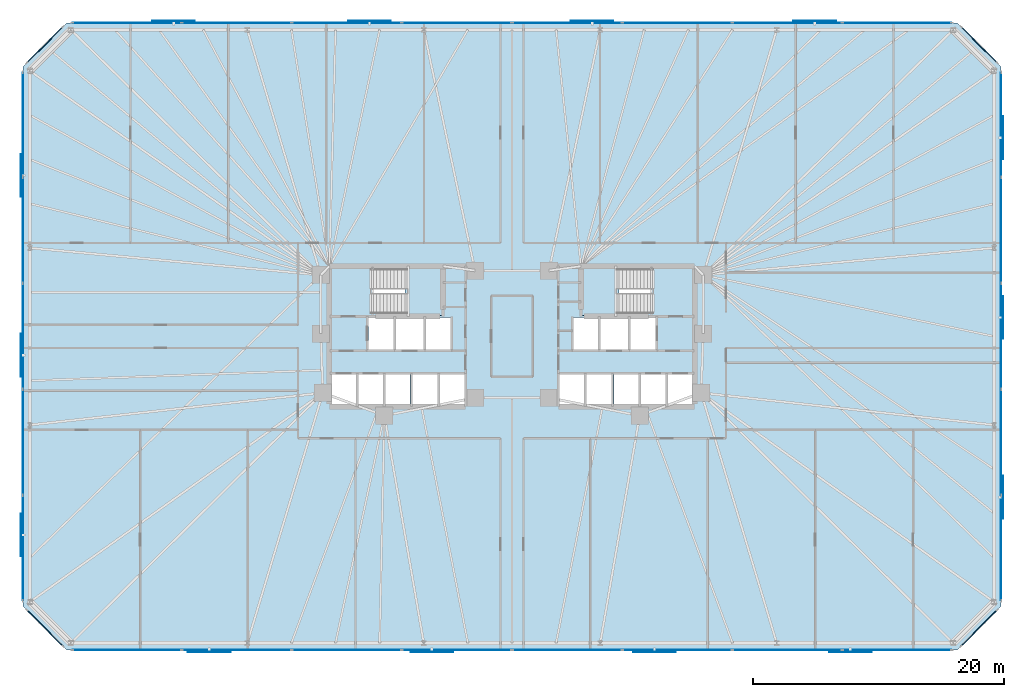
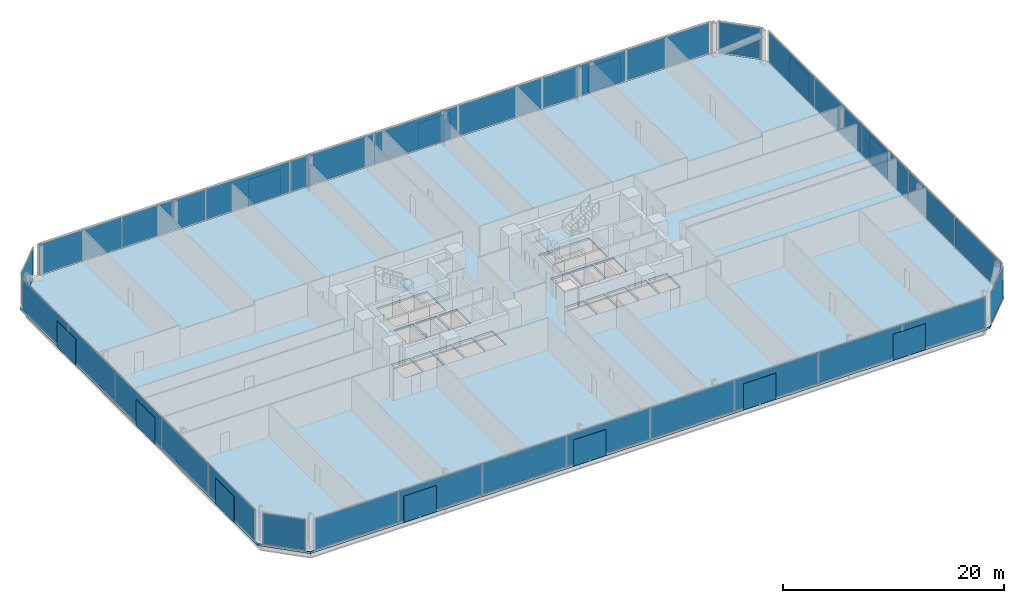
# One storey, part 11 of 17: 44 plates, 3 slabs, 10 elements without a shape of their own.
"""IFC4 building model written with IfcOpenShell, lengths in metres."""

from ifc_helpers import new_model, si_unit, direction, frame, origin, origin_2d, place, context, subcontext, project, spatial, polyline, rectangle, outline, extrude, material, layer, layer_set, type_object, element, aggregate, save


model = new_model("IFC4")

# Units and contexts
model_context = context("Model", 3, precision=1e-05, world=origin(), true_north=direction((0.0, 1.0)))
body_context = subcontext(model_context, "Body", "Model", "MODEL_VIEW")
ifc_project = project(units=[si_unit("LENGTHUNIT", "METRE"), si_unit("AREAUNIT", "SQUARE_METRE"), si_unit("VOLUMEUNIT", "CUBIC_METRE"), si_unit("PLANEANGLEUNIT", "RADIAN"), si_unit("MASSUNIT", "GRAM", prefix="KILO")], contexts=[model_context])

# Site, building, storey
site_placement = place(None, origin())
site = spatial("IfcSite", under=ifc_project, at=site_placement, CompositionType="ELEMENT")
building_placement = place(site_placement, origin())
building = spatial("IfcBuilding", under=site, at=building_placement, Name="Menara Jurai Vektor", CompositionType="ELEMENT")
storey_placement = place(building_placement, frame((0.0, 0.0, 63.60009765625)))
storey = spatial("IfcBuildingStorey", under=building, at=storey_placement, Name="L15", CompositionType="ELEMENT", Elevation=63.60009765625)

# Curtain wall, plates
ifc_material_1 = material(Name="Anodised Pale Aluminium & Low-E Double Glazing", Category="aluminium")
curtain_wall_type = type_object("IfcCurtainWallType", Name="CW-BLK1", PredefinedType="NOTDEFINED", material=ifc_material_1)
curtain_wall_1_placement = place(storey_placement, origin())
curtain_wall_1 = element("IfcCurtainWall", 1, at=curtain_wall_1_placement, inside=storey, type_object=curtain_wall_type, Name="Unitised Curtain Wall L15 F01", PredefinedType="NOTDEFINED")
ifc_material_2 = material(Name="Low-E Solar-Control Double Glazed Unit", Category="glass")
ifc_layer_1 = layer(ifc_material_2, 0.035888671875)
ifc_layer_set_1 = layer_set([ifc_layer_1], Name="Low-E Solar-Control Double Glazed Unit")
plate_type_1 = type_object("IfcPlateType", Name="CW-BLK1-PNL", PredefinedType="CURTAIN_PANEL", material=ifc_layer_set_1)
plate_1_placement = place(storey_placement, frame((-30.706298828125, -25.0, 0.0947265625), z_axis=(0.0, 0.0, 1.0), x_axis=(1.0, 0.0, 0.0)))
plate_1 = element("IfcPlate", 2, at=plate_1_placement, type_object=plate_type_1, Name="CW-01 panel 1.1", PredefinedType="CURTAIN_PANEL", context=body_context, shape_type="SweptSolid", body=[
    extrude(rectangle(XDim=8.637451171875, YDim=0.035888671875, at=origin_2d()), origin(), (0.0, 0.0, 1.0), 3.385009765625),
])
plate_2_placement = place(storey_placement, frame((-21.949951171875, -25.0, 0.0947265625), z_axis=(0.0, 0.0, 1.0), x_axis=(1.0, 0.0, 0.0)))
plate_2 = element("IfcPlate", 3, at=plate_2_placement, type_object=plate_type_1, Name="CW-01 panel 2.1", PredefinedType="CURTAIN_PANEL", context=body_context, shape_type="SweptSolid", body=[
    extrude(rectangle(XDim=8.68505859375, YDim=0.035888671875, at=origin_2d()), origin(), (0.0, 0.0, 1.0), 3.385009765625),
])
plate_3_placement = place(storey_placement, frame((-13.169921875, -25.0, 0.0947265625), z_axis=(0.0, 0.0, 1.0), x_axis=(1.0, 0.0, 0.0)))
plate_3 = element("IfcPlate", 4, at=plate_3_placement, type_object=plate_type_1, Name="CW-01 panel 3.1", PredefinedType="CURTAIN_PANEL", context=body_context, shape_type="SweptSolid", body=[
    extrude(rectangle(XDim=8.68505859375, YDim=0.035888671875, at=origin_2d()), origin(), (0.0, 0.0, 1.0), 3.385009765625),
])
plate_4_placement = place(storey_placement, frame((-4.389892578125, -25.0, 0.0947265625), z_axis=(0.0, 0.0, 1.0), x_axis=(1.0, 0.0, 0.0)))
plate_4 = element("IfcPlate", 5, at=plate_4_placement, type_object=plate_type_1, Name="CW-01 panel 4.1", PredefinedType="CURTAIN_PANEL", context=body_context, shape_type="SweptSolid", body=[
    extrude(rectangle(XDim=8.68505859375, YDim=0.035888671875, at=origin_2d()), origin(), (0.0, 0.0, 1.0), 3.385009765625),
])
plate_5_placement = place(storey_placement, frame((4.389892578125, -25.0, 0.0947265625), z_axis=(0.0, 0.0, 1.0), x_axis=(1.0, 0.0, 0.0)))
plate_5 = element("IfcPlate", 6, at=plate_5_placement, type_object=plate_type_1, Name="CW-01 panel 5.1", PredefinedType="CURTAIN_PANEL", context=body_context, shape_type="SweptSolid", body=[
    extrude(rectangle(XDim=8.68505859375, YDim=0.035888671875, at=origin_2d()), origin(), (0.0, 0.0, 1.0), 3.385009765625),
])
plate_6_placement = place(storey_placement, frame((13.169921875, -25.0, 0.0947265625), z_axis=(0.0, 0.0, 1.0), x_axis=(1.0, 0.0, 0.0)))
plate_6 = element("IfcPlate", 7, at=plate_6_placement, type_object=plate_type_1, Name="CW-01 panel 6.1", PredefinedType="CURTAIN_PANEL", context=body_context, shape_type="SweptSolid", body=[
    extrude(rectangle(XDim=8.68505859375, YDim=0.035888671875, at=origin_2d()), origin(), (0.0, 0.0, 1.0), 3.385009765625),
])
plate_7_placement = place(storey_placement, frame((21.949951171875, -25.0, 0.0947265625), z_axis=(0.0, 0.0, 1.0), x_axis=(1.0, 0.0, 0.0)))
plate_7 = element("IfcPlate", 8, at=plate_7_placement, type_object=plate_type_1, Name="CW-01 panel 7.1", PredefinedType="CURTAIN_PANEL", context=body_context, shape_type="SweptSolid", body=[
    extrude(rectangle(XDim=8.68505859375, YDim=0.035888671875, at=origin_2d()), origin(), (0.0, 0.0, 1.0), 3.385009765625),
])
plate_8_placement = place(storey_placement, frame((30.706298828125, -25.0, 0.0947265625), z_axis=(0.0, 0.0, 1.0), x_axis=(1.0, 0.0, 0.0)))
plate_8 = element("IfcPlate", 9, at=plate_8_placement, type_object=plate_type_1, Name="CW-01 panel 8.1", PredefinedType="CURTAIN_PANEL", context=body_context, shape_type="SweptSolid", body=[
    extrude(rectangle(XDim=8.637451171875, YDim=0.035888671875, at=origin_2d()), origin(), (0.0, 0.0, 1.0), 3.385009765625),
])
aggregate(curtain_wall_1, [plate_1, plate_2, plate_3, plate_4, plate_5, plate_6, plate_7, plate_8])

curtain_wall_2_placement = place(storey_placement, origin())
curtain_wall_2 = element("IfcCurtainWall", 10, at=curtain_wall_2_placement, inside=storey, type_object=curtain_wall_type, Name="Unitised Curtain Wall L15 F03", PredefinedType="NOTDEFINED")
plate_9_placement = place(storey_placement, frame((39.0, -16.872314453125, 0.0947265625), z_axis=(0.0, 0.0, 1.0), x_axis=(0.0, 1.0, 0.0)))
plate_9 = element("IfcPlate", 11, at=plate_9_placement, type_object=plate_type_1, Name="CW-01 panel 1.1", PredefinedType="CURTAIN_PANEL", context=body_context, shape_type="SweptSolid", body=[
    extrude(rectangle(XDim=8.305419921875, YDim=0.035888671875, at=origin_2d()), origin(), (0.0, 0.0, 1.0), 3.385009765625),
])
plate_10_placement = place(storey_placement, frame((39.0, -8.447998046875, 0.0947265625), z_axis=(0.0, 0.0, 1.0), x_axis=(0.0, 1.0, 0.0)))
plate_10 = element("IfcPlate", 12, at=plate_10_placement, type_object=plate_type_1, Name="CW-01 panel 2.1", PredefinedType="CURTAIN_PANEL", context=body_context, shape_type="SweptSolid", body=[
    extrude(rectangle(XDim=8.35302734375, YDim=0.035888671875, at=origin_2d()), origin(), (0.0, 0.0, 1.0), 3.385009765625),
])
plate_11_placement = place(storey_placement, frame((39.0, 0.0, 0.0947265625), z_axis=(0.0, 0.0, 1.0), x_axis=(0.0, 1.0, 0.0)))
plate_11 = element("IfcPlate", 13, at=plate_11_placement, type_object=plate_type_1, Name="CW-01 panel 3.1", PredefinedType="CURTAIN_PANEL", context=body_context, shape_type="SweptSolid", body=[
    extrude(rectangle(XDim=8.35302734375, YDim=0.035888671875, at=origin_2d()), origin(), (0.0, 0.0, 1.0), 3.385009765625),
])
plate_12_placement = place(storey_placement, frame((39.0, 8.447998046875, 0.0947265625), z_axis=(0.0, 0.0, 1.0), x_axis=(0.0, 1.0, 0.0)))
plate_12 = element("IfcPlate", 14, at=plate_12_placement, type_object=plate_type_1, Name="CW-01 panel 4.1", PredefinedType="CURTAIN_PANEL", context=body_context, shape_type="SweptSolid", body=[
    extrude(rectangle(XDim=8.35302734375, YDim=0.035888671875, at=origin_2d()), origin(), (0.0, 0.0, 1.0), 3.385009765625),
])
plate_13_placement = place(storey_placement, frame((39.0, 16.872314453125, 0.0947265625), z_axis=(0.0, 0.0, 1.0), x_axis=(0.0, 1.0, 0.0)))
plate_13 = element("IfcPlate", 15, at=plate_13_placement, type_object=plate_type_1, Name="CW-01 panel 5.1", PredefinedType="CURTAIN_PANEL", context=body_context, shape_type="SweptSolid", body=[
    extrude(rectangle(XDim=8.305419921875, YDim=0.035888671875, at=origin_2d()), origin(), (0.0, 0.0, 1.0), 3.385009765625),
])
aggregate(curtain_wall_2, [plate_9, plate_10, plate_11, plate_12, plate_13])

curtain_wall_3_placement = place(storey_placement, origin())
curtain_wall_3 = element("IfcCurtainWall", 16, at=curtain_wall_3_placement, inside=storey, type_object=curtain_wall_type, Name="Unitised Curtain Wall L15 F05", PredefinedType="NOTDEFINED")
plate_14_placement = place(storey_placement, frame((30.706298828125, 25.0, 0.0947265625), z_axis=(0.0, 0.0, 1.0), x_axis=(-1.0, 0.0, 0.0)))
plate_14 = element("IfcPlate", 17, at=plate_14_placement, type_object=plate_type_1, Name="CW-01 panel 1.1", PredefinedType="CURTAIN_PANEL", context=body_context, shape_type="SweptSolid", body=[
    extrude(rectangle(XDim=8.637451171875, YDim=0.035888671875, at=origin_2d()), origin(), (0.0, 0.0, 1.0), 3.385009765625),
])
plate_15_placement = place(storey_placement, frame((21.949951171875, 25.0, 0.0947265625), z_axis=(0.0, 0.0, 1.0), x_axis=(-1.0, 0.0, 0.0)))
plate_15 = element("IfcPlate", 18, at=plate_15_placement, type_object=plate_type_1, Name="CW-01 panel 2.1", PredefinedType="CURTAIN_PANEL", context=body_context, shape_type="SweptSolid", body=[
    extrude(rectangle(XDim=8.68505859375, YDim=0.035888671875, at=origin_2d()), origin(), (0.0, 0.0, 1.0), 3.385009765625),
])
plate_16_placement = place(storey_placement, frame((13.169921875, 25.0, 0.0947265625), z_axis=(0.0, 0.0, 1.0), x_axis=(-1.0, 0.0, 0.0)))
plate_16 = element("IfcPlate", 19, at=plate_16_placement, type_object=plate_type_1, Name="CW-01 panel 3.1", PredefinedType="CURTAIN_PANEL", context=body_context, shape_type="SweptSolid", body=[
    extrude(rectangle(XDim=8.68505859375, YDim=0.035888671875, at=origin_2d()), origin(), (0.0, 0.0, 1.0), 3.385009765625),
])
plate_17_placement = place(storey_placement, frame((4.389892578125, 25.0, 0.0947265625), z_axis=(0.0, 0.0, 1.0), x_axis=(-1.0, 0.0, 0.0)))
plate_17 = element("IfcPlate", 20, at=plate_17_placement, type_object=plate_type_1, Name="CW-01 panel 4.1", PredefinedType="CURTAIN_PANEL", context=body_context, shape_type="SweptSolid", body=[
    extrude(rectangle(XDim=8.68505859375, YDim=0.035888671875, at=origin_2d()), origin(), (0.0, 0.0, 1.0), 3.385009765625),
])
plate_18_placement = place(storey_placement, frame((-4.389892578125, 25.0, 0.0947265625), z_axis=(0.0, 0.0, 1.0), x_axis=(-1.0, 0.0, 0.0)))
plate_18 = element("IfcPlate", 21, at=plate_18_placement, type_object=plate_type_1, Name="CW-01 panel 5.1", PredefinedType="CURTAIN_PANEL", context=body_context, shape_type="SweptSolid", body=[
    extrude(rectangle(XDim=8.68505859375, YDim=0.035888671875, at=origin_2d()), origin(), (0.0, 0.0, 1.0), 3.385009765625),
])
plate_19_placement = place(storey_placement, frame((-13.169921875, 25.0, 0.0947265625), z_axis=(0.0, 0.0, 1.0), x_axis=(-1.0, 0.0, 0.0)))
plate_19 = element("IfcPlate", 22, at=plate_19_placement, type_object=plate_type_1, Name="CW-01 panel 6.1", PredefinedType="CURTAIN_PANEL", context=body_context, shape_type="SweptSolid", body=[
    extrude(rectangle(XDim=8.68505859375, YDim=0.035888671875, at=origin_2d()), origin(), (0.0, 0.0, 1.0), 3.385009765625),
])
plate_20_placement = place(storey_placement, frame((-21.949951171875, 25.0, 0.0947265625), z_axis=(0.0, 0.0, 1.0), x_axis=(-1.0, 0.0, 0.0)))
plate_20 = element("IfcPlate", 23, at=plate_20_placement, type_object=plate_type_1, Name="CW-01 panel 7.1", PredefinedType="CURTAIN_PANEL", context=body_context, shape_type="SweptSolid", body=[
    extrude(rectangle(XDim=8.68505859375, YDim=0.035888671875, at=origin_2d()), origin(), (0.0, 0.0, 1.0), 3.385009765625),
])
plate_21_placement = place(storey_placement, frame((-30.706298828125, 25.0, 0.0947265625), z_axis=(0.0, 0.0, 1.0), x_axis=(-1.0, 0.0, 0.0)))
plate_21 = element("IfcPlate", 24, at=plate_21_placement, type_object=plate_type_1, Name="CW-01 panel 8.1", PredefinedType="CURTAIN_PANEL", context=body_context, shape_type="SweptSolid", body=[
    extrude(rectangle(XDim=8.637451171875, YDim=0.035888671875, at=origin_2d()), origin(), (0.0, 0.0, 1.0), 3.385009765625),
])
aggregate(curtain_wall_3, [plate_14, plate_15, plate_16, plate_17, plate_18, plate_19, plate_20, plate_21])

curtain_wall_4_placement = place(storey_placement, origin())
curtain_wall_4 = element("IfcCurtainWall", 25, at=curtain_wall_4_placement, inside=storey, type_object=curtain_wall_type, Name="Unitised Curtain Wall L15 F07", PredefinedType="NOTDEFINED")
plate_22_placement = place(storey_placement, frame((-39.0, 16.872314453125, 0.0947265625), z_axis=(0.0, 0.0, 1.0), x_axis=(0.0, -1.0, 0.0)))
plate_22 = element("IfcPlate", 26, at=plate_22_placement, type_object=plate_type_1, Name="CW-01 panel 1.1", PredefinedType="CURTAIN_PANEL", context=body_context, shape_type="SweptSolid", body=[
    extrude(rectangle(XDim=8.305419921875, YDim=0.035888671875, at=origin_2d()), origin(), (0.0, 0.0, 1.0), 3.385009765625),
])
plate_23_placement = place(storey_placement, frame((-39.0, 8.447998046875, 0.0947265625), z_axis=(0.0, 0.0, 1.0), x_axis=(0.0, -1.0, 0.0)))
plate_23 = element("IfcPlate", 27, at=plate_23_placement, type_object=plate_type_1, Name="CW-01 panel 2.1", PredefinedType="CURTAIN_PANEL", context=body_context, shape_type="SweptSolid", body=[
    extrude(rectangle(XDim=8.35302734375, YDim=0.035888671875, at=origin_2d()), origin(), (0.0, 0.0, 1.0), 3.385009765625),
])
plate_24_placement = place(storey_placement, frame((-39.0, 0.0, 0.0947265625), z_axis=(0.0, 0.0, 1.0), x_axis=(0.0, -1.0, 0.0)))
plate_24 = element("IfcPlate", 28, at=plate_24_placement, type_object=plate_type_1, Name="CW-01 panel 3.1", PredefinedType="CURTAIN_PANEL", context=body_context, shape_type="SweptSolid", body=[
    extrude(rectangle(XDim=8.35302734375, YDim=0.035888671875, at=origin_2d()), origin(), (0.0, 0.0, 1.0), 3.385009765625),
])
plate_25_placement = place(storey_placement, frame((-39.0, -8.447998046875, 0.0947265625), z_axis=(0.0, 0.0, 1.0), x_axis=(0.0, -1.0, 0.0)))
plate_25 = element("IfcPlate", 29, at=plate_25_placement, type_object=plate_type_1, Name="CW-01 panel 4.1", PredefinedType="CURTAIN_PANEL", context=body_context, shape_type="SweptSolid", body=[
    extrude(rectangle(XDim=8.35302734375, YDim=0.035888671875, at=origin_2d()), origin(), (0.0, 0.0, 1.0), 3.385009765625),
])
plate_26_placement = place(storey_placement, frame((-39.0, -16.872314453125, 0.0947265625), z_axis=(0.0, 0.0, 1.0), x_axis=(0.0, -1.0, 0.0)))
plate_26 = element("IfcPlate", 30, at=plate_26_placement, type_object=plate_type_1, Name="CW-01 panel 5.1", PredefinedType="CURTAIN_PANEL", context=body_context, shape_type="SweptSolid", body=[
    extrude(rectangle(XDim=8.305419921875, YDim=0.035888671875, at=origin_2d()), origin(), (0.0, 0.0, 1.0), 3.385009765625),
])
aggregate(curtain_wall_4, [plate_22, plate_23, plate_24, plate_25, plate_26])

# Curtain wall, plate
curtain_wall_5_placement = place(storey_placement, origin())
curtain_wall_5 = element("IfcCurtainWall", 31, at=curtain_wall_5_placement, inside=storey, type_object=curtain_wall_type, Name="Unitised Curtain Wall L15 F02", PredefinedType="NOTDEFINED")
ifc_material_3 = material(Name="Insulated Pale Aluminium Spandrel Panel", Category="aluminium")
ifc_layer_2 = layer(ifc_material_3, 0.06005859375)
ifc_layer_set_2 = layer_set([ifc_layer_2], Name="Insulated Pale Aluminium Spandrel Panel")
plate_type_2 = type_object("IfcPlateType", Name="CW-PNL-SP", PredefinedType="CURTAIN_PANEL", material=ifc_layer_set_2)
plate_27_placement = place(storey_placement, frame((37.25, -23.25, 0.0947265625), z_axis=(0.0, 0.0, 1.0), x_axis=(0.707106781187, 0.707106781187, 0.0)))
plate_27 = element("IfcPlate", 32, at=plate_27_placement, type_object=plate_type_2, Name="CW-01 panel 1.1", PredefinedType="CURTAIN_PANEL", context=body_context, shape_type="SweptSolid", body=[
    extrude(rectangle(XDim=3.999755859375, YDim=0.06005859375, at=origin_2d()), origin(), (0.0, 0.0, 1.0), 3.385009765625),
])
aggregate(curtain_wall_5, [plate_27])

curtain_wall_6_placement = place(storey_placement, origin())
curtain_wall_6 = element("IfcCurtainWall", 33, at=curtain_wall_6_placement, inside=storey, type_object=curtain_wall_type, Name="Unitised Curtain Wall L15 F04", PredefinedType="NOTDEFINED")
plate_28_placement = place(storey_placement, frame((37.25, 23.25, 0.0947265625), z_axis=(0.0, 0.0, 1.0), x_axis=(-0.707106781187, 0.707106781187, 0.0)))
plate_28 = element("IfcPlate", 34, at=plate_28_placement, type_object=plate_type_2, Name="CW-01 panel 1.1", PredefinedType="CURTAIN_PANEL", context=body_context, shape_type="SweptSolid", body=[
    extrude(rectangle(XDim=3.999755859375, YDim=0.06005859375, at=origin_2d()), origin(), (0.0, 0.0, 1.0), 3.385009765625),
])
aggregate(curtain_wall_6, [plate_28])

curtain_wall_7_placement = place(storey_placement, origin())
curtain_wall_7 = element("IfcCurtainWall", 35, at=curtain_wall_7_placement, inside=storey, type_object=curtain_wall_type, Name="Unitised Curtain Wall L15 F06", PredefinedType="NOTDEFINED")
plate_29_placement = place(storey_placement, frame((-37.25, 23.25, 0.0947265625), z_axis=(0.0, 0.0, 1.0), x_axis=(-0.707106781187, -0.707106781187, 0.0)))
plate_29 = element("IfcPlate", 36, at=plate_29_placement, type_object=plate_type_2, Name="CW-01 panel 1.1", PredefinedType="CURTAIN_PANEL", context=body_context, shape_type="SweptSolid", body=[
    extrude(rectangle(XDim=3.999755859375, YDim=0.06005859375, at=origin_2d()), origin(), (0.0, 0.0, 1.0), 3.385009765625),
])
aggregate(curtain_wall_7, [plate_29])

curtain_wall_8_placement = place(storey_placement, origin())
curtain_wall_8 = element("IfcCurtainWall", 37, at=curtain_wall_8_placement, inside=storey, type_object=curtain_wall_type, Name="Unitised Curtain Wall L15 F08", PredefinedType="NOTDEFINED")
plate_30_placement = place(storey_placement, frame((-37.25, -23.25, 0.0947265625), z_axis=(0.0, 0.0, 1.0), x_axis=(0.707106781187, -0.707106781187, 0.0)))
plate_30 = element("IfcPlate", 38, at=plate_30_placement, type_object=plate_type_2, Name="CW-01 panel 1.1", PredefinedType="CURTAIN_PANEL", context=body_context, shape_type="SweptSolid", body=[
    extrude(rectangle(XDim=3.999755859375, YDim=0.06005859375, at=origin_2d()), origin(), (0.0, 0.0, 1.0), 3.385009765625),
])
aggregate(curtain_wall_8, [plate_30])

# Plates
ifc_material_4 = material(Name="Anodised Pale Aluminium Perforated Screen", Category="aluminium")
ifc_layer_3 = layer(ifc_material_4, 0.02392578125)
ifc_layer_set_3 = layer_set([ifc_layer_3], Name="Anodised Pale Aluminium Perforated Screen")
plate_type_3 = type_object("IfcPlateType", Name="ENV-PLT-SCREEN", PredefinedType="USERDEFINED", material=ifc_layer_set_3)
for number, where, z_axis, x_axis, name in (
    (39, (-24.139892578125, -25.159912109375, -0.050048828125), (0.0, 0.0, 1.0), (1.0, 0.0, 0.0), "Perforated Pale-Metal Solar Screen L15-S01"),
    (40, (-6.389892578125, -25.159912109375, -0.050048828125), (0.0, 0.0, 1.0), (1.0, 0.0, 0.0), "Perforated Pale-Metal Solar Screen L15-S02"),
    (41, (11.360107421875, -25.159912109375, -0.050048828125), (0.0, 0.0, 1.0), (1.0, 0.0, 0.0), "Perforated Pale-Metal Solar Screen L15-S03"),
    (42, (26.97998046875, -25.159912109375, -0.050048828125), (0.0, 0.0, 1.0), (1.0, 0.0, 0.0), "Perforated Pale-Metal Solar Screen L15-S04"),
    (43, (39.159912109375, -12.828369140625, -0.050048828125), (0.0, 0.0, 1.0), (0.0, 1.0, 0.0), "Perforated Pale-Metal Solar Screen L15-S05"),
    (44, (39.159912109375, 1.5048828125, -0.050048828125), (0.0, 0.0, 1.0), (0.0, 1.0, 0.0), "Perforated Pale-Metal Solar Screen L15-S06"),
    (45, (39.159912109375, 15.83837890625, -0.050048828125), (0.0, 0.0, 1.0), (0.0, 1.0, 0.0), "Perforated Pale-Metal Solar Screen L15-S07"),
    (46, (24.139892578125, 25.159912109375, -0.050048828125), (0.0, 0.0, 1.0), (-1.0, 0.0, 0.0), "Perforated Pale-Metal Solar Screen L15-S08"),
    (47, (6.389892578125, 25.159912109375, -0.050048828125), (0.0, 0.0, 1.0), (-1.0, 0.0, 0.0), "Perforated Pale-Metal Solar Screen L15-S09"),
    (48, (-11.360107421875, 25.159912109375, -0.050048828125), (0.0, 0.0, 1.0), (-1.0, 0.0, 0.0), "Perforated Pale-Metal Solar Screen L15-S10"),
    (49, (-26.97998046875, 25.159912109375, -0.050048828125), (0.0, 0.0, 1.0), (-1.0, 0.0, 0.0), "Perforated Pale-Metal Solar Screen L15-S11"),
    (50, (-39.159912109375, 12.828369140625, -0.050048828125), (0.0, 0.0, 1.0), (0.0, -1.0, 0.0), "Perforated Pale-Metal Solar Screen L15-S12"),
    (51, (-39.159912109375, -1.5048828125, -0.050048828125), (0.0, 0.0, 1.0), (0.0, -1.0, 0.0), "Perforated Pale-Metal Solar Screen L15-S13"),
    (52, (-39.159912109375, -15.83837890625, -0.050048828125), (0.0, 0.0, 1.0), (0.0, -1.0, 0.0), "Perforated Pale-Metal Solar Screen L15-S14"),
):
    element("IfcPlate", number, at=place(storey_placement, frame(where, z_axis=z_axis, x_axis=x_axis)), inside=storey, type_object=plate_type_3, Name=name, ObjectType="SCREEN", PredefinedType="USERDEFINED", context=body_context, shape_type="SweptSolid", body=[
        extrude(rectangle(XDim=3.39990234375, YDim=0.02392578125, at=origin_2d()), origin(), (0.0, 0.0, 1.0), 2.89990234375),
    ])

# Stair, slab
ifc_material_5 = material(Name="Concrete C40/50", Category="concrete")
stair_type = type_object("IfcStairType", Name="STAIR-DOGLEG-1500", PredefinedType="HALF_TURN_STAIR", material=ifc_material_5)
stair_1_placement = place(storey_placement, origin())
stair_1 = element("IfcStair", 53, at=stair_1_placement, inside=storey, type_object=stair_type, Name="Protected Exit Stair ST1 L15", PredefinedType="HALF_TURN_STAIR")
ifc_layer_4 = layer(ifc_material_5, 0.199951171875)
ifc_layer_set_4 = layer_set([ifc_layer_4], Name="Concrete C40/50")
slab_type_1 = type_object("IfcSlabType", Name="STAIR-LANDING-200", PredefinedType="LANDING", material=ifc_layer_set_4)
slab_1_placement = place(storey_placement, frame((0.0, 0.0, 1.699951171875)))
slab_1 = element("IfcSlab", 54, at=slab_1_placement, type_object=slab_type_1, Name="ST1 landing 1", PredefinedType="LANDING", context=body_context, shape_type="SweptSolid", body=[
    extrude(outline(polyline([(-8.52001953125, 1.64990234375), (-5.550048828125, 1.64990234375), (-5.550048828125, 5.550048828125), (-8.52001953125, 5.550048828125), (-8.52001953125, 1.64990234375)])), origin(), (0.0, 0.0, 1.0), 0.199951171875),
])
aggregate(stair_1, [slab_1])

stair_2_placement = place(storey_placement, origin())
stair_2 = element("IfcStair", 55, at=stair_2_placement, inside=storey, type_object=stair_type, Name="Protected Exit Stair ST2 L15", PredefinedType="HALF_TURN_STAIR")
slab_2_placement = place(storey_placement, frame((0.0, 0.0, 1.699951171875)))
slab_2 = element("IfcSlab", 56, at=slab_2_placement, type_object=slab_type_1, Name="ST2 landing 1", PredefinedType="LANDING", context=body_context, shape_type="SweptSolid", body=[
    extrude(outline(polyline([(5.550048828125, 1.64990234375), (8.52001953125, 1.64990234375), (8.52001953125, 5.550048828125), (5.550048828125, 5.550048828125), (5.550048828125, 1.64990234375)])), origin(), (0.0, 0.0, 1.0), 0.199951171875),
])
aggregate(stair_2, [slab_2])

# Slab
ifc_layer_5 = layer(ifc_material_5, 0.22509765625)
ifc_layer_set_5 = layer_set([ifc_layer_5], Name="Concrete C40/50")
slab_type_2 = type_object("IfcSlabType", Name="STR-SLAB-TYP200", PredefinedType="FLOOR", material=ifc_layer_set_5)
slab_3_placement = place(storey_placement, frame((0.0, 0.0, -0.22509765625)))
element("IfcSlab", 57, at=slab_3_placement, inside=storey, type_object=slab_type_2, Name="Composite Floor Slab L15", PredefinedType="FLOOR", context=body_context, shape_type="SweptSolid", body=[
    extrude(outline(polyline([(-35.5, -25.0), (35.5, -25.0), (39.0, -21.5), (39.0, 21.5), (35.5, 25.0), (-35.5, 25.0), (-39.0, 21.5), (-39.0, -21.5), (-35.5, -25.0)]), holes=[polyline([(-11.10009765625, 1.89990234375), (-11.10009765625, 5.300048828125), (-5.800048828125, 5.300048828125), (-5.800048828125, 1.89990234375), (-11.10009765625, 1.89990234375)]), polyline([(5.800048828125, 1.89990234375), (5.800048828125, 5.300048828125), (11.10009765625, 5.300048828125), (11.10009765625, 1.89990234375), (5.800048828125, 1.89990234375)]), polyline([(-11.449951171875, -1.050048828125), (-11.449951171875, 1.5), (-9.449951171875, 1.5), (-9.449951171875, -1.050048828125), (-11.449951171875, -1.050048828125)]), polyline([(9.449951171875, -1.050048828125), (9.449951171875, 1.5), (11.449951171875, 1.5), (11.449951171875, -1.050048828125), (9.449951171875, -1.050048828125)]), polyline([(-5.760009765625, -5.5), (-5.760009765625, -3.050048828125), (-3.800048828125, -3.050048828125), (-3.800048828125, -5.5), (-5.760009765625, -5.5)]), polyline([(-6.85009765625, -1.050048828125), (-6.85009765625, 1.5), (-4.889892578125, 1.5), (-4.889892578125, -1.050048828125), (-6.85009765625, -1.050048828125)]), polyline([(3.800048828125, -5.5), (3.800048828125, -3.050048828125), (5.760009765625, -3.050048828125), (5.760009765625, -5.5), (3.800048828125, -5.5)]), polyline([(4.889892578125, -1.050048828125), (4.889892578125, 1.5), (6.85009765625, 1.5), (6.85009765625, -1.050048828125), (4.889892578125, -1.050048828125)]), polyline([(-14.39990234375, -5.5), (-14.39990234375, -3.050048828125), (-12.43994140625, -3.050048828125), (-12.43994140625, -5.5), (-14.39990234375, -5.5)]), polyline([(-12.239990234375, -5.5), (-12.239990234375, -3.050048828125), (-10.280029296875, -3.050048828125), (-10.280029296875, -5.5), (-12.239990234375, -5.5)]), polyline([(10.280029296875, -5.5), (10.280029296875, -3.050048828125), (12.239990234375, -3.050048828125), (12.239990234375, -5.5), (10.280029296875, -5.5)]), polyline([(12.43994140625, -5.5), (12.43994140625, -3.050048828125), (14.39990234375, -3.050048828125), (14.39990234375, -5.5), (12.43994140625, -5.5)]), polyline([(-10.080078125, -5.5), (-10.080078125, -3.050048828125), (-8.1201171875, -3.050048828125), (-8.1201171875, -5.5), (-10.080078125, -5.5)]), polyline([(-7.919921875, -5.5), (-7.919921875, -3.050048828125), (-5.9599609375, -3.050048828125), (-5.9599609375, -5.5), (-7.919921875, -5.5)]), polyline([(5.9599609375, -5.5), (5.9599609375, -3.050048828125), (7.919921875, -3.050048828125), (7.919921875, -5.5), (5.9599609375, -5.5)]), polyline([(8.1201171875, -5.5), (8.1201171875, -3.050048828125), (10.080078125, -3.050048828125), (10.080078125, -5.5), (8.1201171875, -5.5)]), polyline([(-9.25, -1.050048828125), (-9.25, 1.5), (-7.050048828125, 1.5), (-7.050048828125, -1.050048828125), (-9.25, -1.050048828125)]), polyline([(7.050048828125, -1.050048828125), (7.050048828125, 1.5), (9.25, 1.5), (9.25, -1.050048828125), (7.050048828125, -1.050048828125)])]), origin(), (0.0, 0.0, 1.0), 0.22509765625),
])

save(model, "model.ifc")
